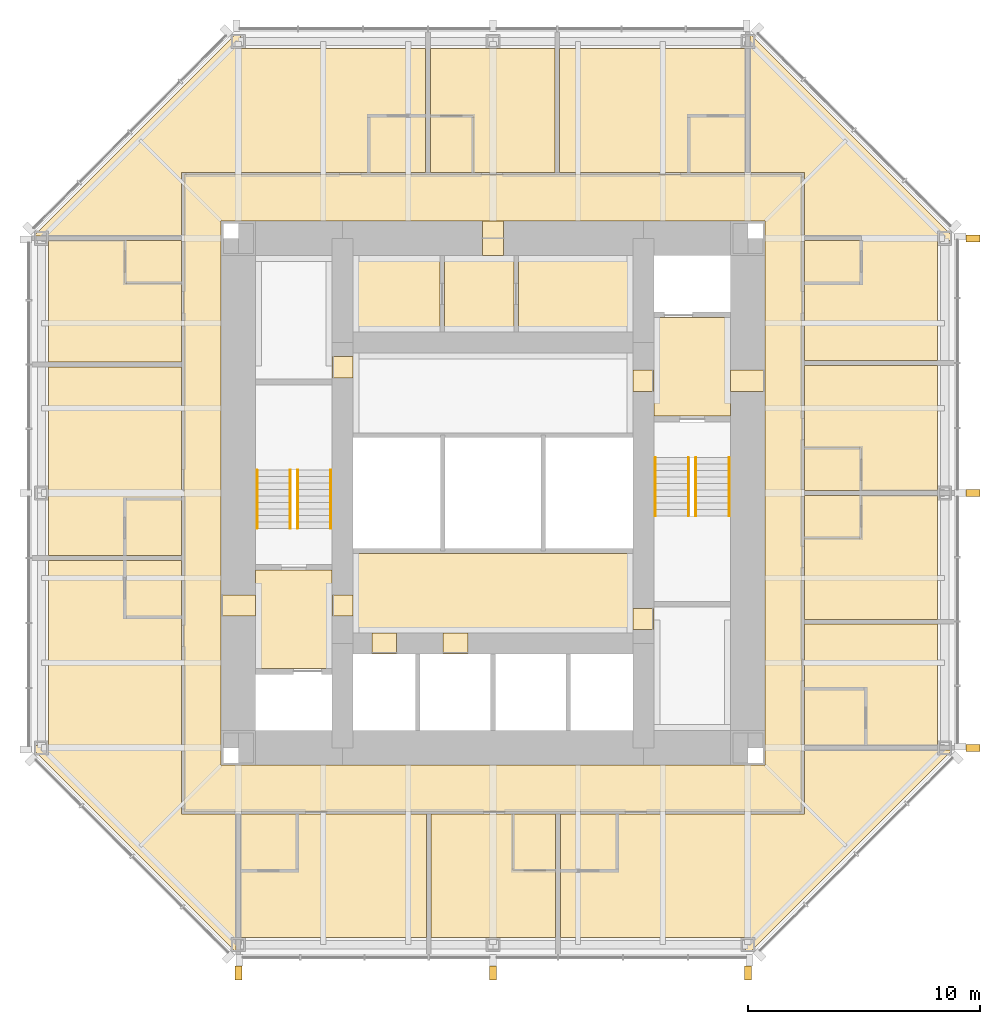
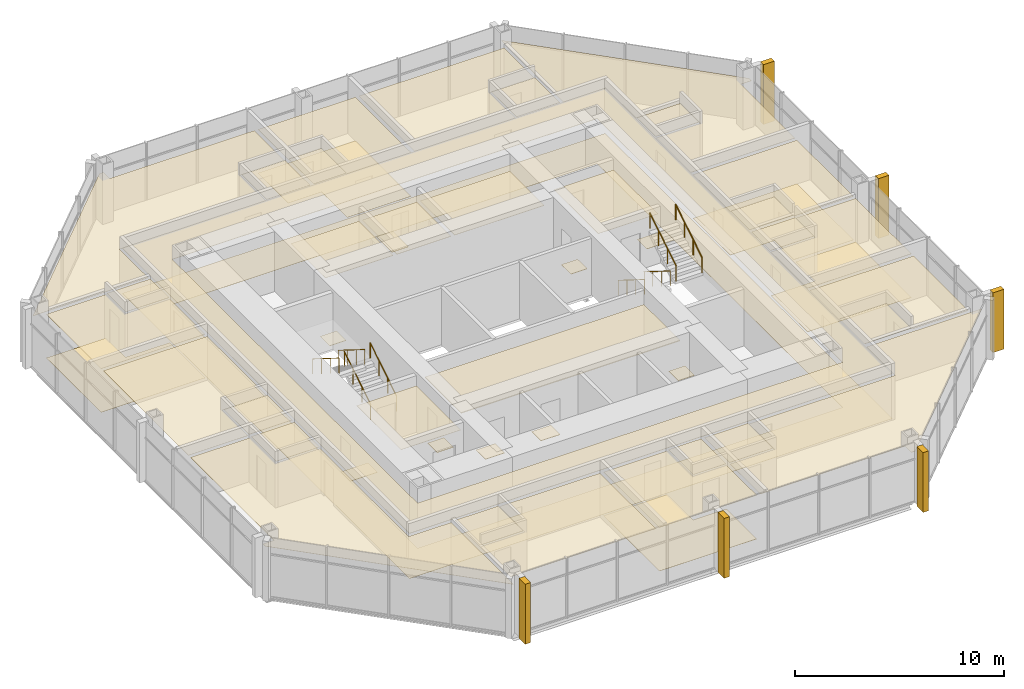
# One storey, part 11 of 11: 54 coverings, 8 railings.
"""IFC4 building model written with IfcOpenShell, lengths in metres."""

import ifcopenshell
import ifcopenshell.guid

model = None  # the IFC model being written
_history = None  # IfcOwnerHistory: only IFC2X3 demands one
_inside = {}  # id of a spatial element -> (the spatial element, [elements in it])
_under = {}  # id of a project, library or spatial element -> (it, [spatial elements below it])
_declared = {}  # id of a project -> (the project, [libraries it declares])
_typed = {}  # id of a type object -> (the type object, [elements of that type])
_made_of = {}  # id of a material, layer set ... -> (it, [elements and type objects made of it])


def new_model(schema):
    """Start an empty IFC model of exactly this schema.

    Asked for "IFC4X3", IfcOpenShell would pick the latest addendum, in which some entities
    have other attributes; the version numbers below select the first issue.
    IFC2X3 requires an IfcOwnerHistory on every rooted entity: one is made here for all.
    """
    global model, _history
    if schema == "IFC4X3":
        model = ifcopenshell.file(schema_version=(4, 3, 0, 0))
    else:
        model = ifcopenshell.file(schema=schema)
    _inside.clear()
    _under.clear()
    _declared.clear()
    _typed.clear()
    _made_of.clear()
    _history = None
    if model.schema == "IFC2X3":
        org = make("IfcOrganization", Name="unknown")
        user = make(
            "IfcPersonAndOrganization",
            ThePerson=make("IfcPerson", FamilyName="unknown"),
            TheOrganization=org,
        )
        app = make(
            "IfcApplication",
            ApplicationDeveloper=org,
            Version="unknown",
            ApplicationFullName="unknown",
            ApplicationIdentifier="unknown",
        )
        _history = make(
            "IfcOwnerHistory",
            OwningUser=user,
            OwningApplication=app,
            ChangeAction="ADDED",
            CreationDate=0,
        )
    return model


def make(cls, **values):
    """One entity of the class cls with the attributes given. An attribute that is None is left unset."""
    return model.create_entity(
        cls, **{name: value for name, value in values.items() if value is not None}
    )


def rooted(cls, **values):
    """An entity with a GlobalId (a new one), such as an element, a storey or a relation."""
    return make(cls, GlobalId=ifcopenshell.guid.new(), OwnerHistory=_history, **values)


def si_unit(unit_type, name, prefix=None):
    """IfcSIUnit, for example si_unit("LENGTHUNIT", "METRE", prefix="MILLI")."""
    return make("IfcSIUnit", UnitType=unit_type, Prefix=prefix, Name=name)


def assignment(units):
    """IfcUnitAssignment: the units of a project."""
    return None if units is None else make("IfcUnitAssignment", Units=units)


def point(xyz):
    """IfcCartesianPoint."""
    return None if xyz is None else make("IfcCartesianPoint", Coordinates=xyz)


def direction(xyz):
    """IfcDirection."""
    return None if xyz is None else make("IfcDirection", DirectionRatios=xyz)


def frame(location, z_axis=None, x_axis=None):
    """IfcAxis2Placement3D, a coordinate frame: its origin and axes. An axis left out is left unset."""
    return make(
        "IfcAxis2Placement3D",
        Location=point(location),
        Axis=direction(z_axis),
        RefDirection=direction(x_axis),
    )


def frame_2d(location, x_axis=None):
    """IfcAxis2Placement2D, a coordinate frame in the plane: its origin and x axis."""
    return make(
        "IfcAxis2Placement2D", Location=point(location), RefDirection=direction(x_axis)
    )


def origin():
    """The frame at (0, 0, 0) with its axes left unset."""
    return frame((0.0, 0.0, 0.0))


def origin_2d():
    """The frame at (0, 0) in the plane with its x axis left unset."""
    return frame_2d((0.0, 0.0))


def place(relative_to, where):
    """IfcLocalPlacement: puts the frame where relative to a parent placement (None: the world)."""
    return make(
        "IfcLocalPlacement", PlacementRelTo=relative_to, RelativePlacement=where
    )


def context(
    kind, dimensions, precision=None, world=None, true_north=None, identifier=None
):
    """IfcGeometricRepresentationContext, for example the 3D "Model" context."""
    return make(
        "IfcGeometricRepresentationContext",
        ContextIdentifier=identifier,
        ContextType=kind,
        CoordinateSpaceDimension=dimensions,
        Precision=precision,
        WorldCoordinateSystem=world,
        TrueNorth=true_north,
    )


def subcontext(parent, identifier, kind, view, scale=None):
    """IfcGeometricRepresentationSubContext, for example "Body" below "Model"."""
    return make(
        "IfcGeometricRepresentationSubContext",
        ContextIdentifier=identifier,
        ContextType=kind,
        ParentContext=parent,
        TargetScale=scale,
        TargetView=view,
    )


def project(units=None, contexts=None):
    """IfcProject with its units and contexts."""
    return rooted(
        "IfcProject",
        Name="project",
        RepresentationContexts=contexts,
        UnitsInContext=assignment(units),
    )


def spatial(cls, under=None, at=None, **own):
    """A site, building, storey or space (cls), placed at a placement, below another one or the project."""
    s = rooted(cls, ObjectPlacement=at, **own)
    if under is not None:
        _under.setdefault(under.id(), (under, []))[1].append(s)
    return s


def polyline(points):
    """IfcPolyline through the points."""
    return make("IfcPolyline", Points=[point(p) for p in points])


def profile(cls, at=None, kind="AREA", **sizes):
    """A parametric profile (cls). Its sizes go by their IFC names, for example OverallWidth=200.0."""
    return make(cls, ProfileType=kind, Position=at, **sizes)


def rectangle(**sizes):
    """IfcRectangleProfileDef."""
    return profile("IfcRectangleProfileDef", **sizes)


def circle(**sizes):
    """IfcCircleProfileDef."""
    return profile("IfcCircleProfileDef", **sizes)


def outline(outer, holes=None, kind="AREA"):
    """IfcArbitraryClosedProfileDef: a profile drawn as a closed curve; with holes, ...WithVoids."""
    if holes is None:
        return make("IfcArbitraryClosedProfileDef", ProfileType=kind, OuterCurve=outer)
    return make(
        "IfcArbitraryProfileDefWithVoids",
        ProfileType=kind,
        OuterCurve=outer,
        InnerCurves=holes,
    )


def extrude(swept, where, along, depth):
    """IfcExtrudedAreaSolid: the profile swept, set in the frame where, extruded along a direction by depth."""
    return make(
        "IfcExtrudedAreaSolid",
        SweptArea=swept,
        Position=where,
        ExtrudedDirection=direction(along),
        Depth=depth,
    )


def shape(context_of_items, identifier, shape_type, items):
    """IfcShapeRepresentation: the items that make up one representation, for example the "Body"."""
    return make(
        "IfcShapeRepresentation",
        ContextOfItems=context_of_items,
        RepresentationIdentifier=identifier,
        RepresentationType=shape_type,
        Items=items,
    )


def material(Name=None, Category=None):
    """IfcMaterial."""
    return make("IfcMaterial", Name=Name, Category=Category)


def layer(
    of_material, thickness, ventilated=None, Name=None, Category=None, Priority=None
):
    """IfcMaterialLayer: one layer of a wall or slab, of a material (None: an air gap)."""
    return make(
        "IfcMaterialLayer",
        Material=of_material,
        LayerThickness=thickness,
        IsVentilated=ventilated,
        Name=Name,
        Category=Category,
        Priority=Priority,
    )


def layer_set(layers, Name=None):
    """IfcMaterialLayerSet."""
    return make("IfcMaterialLayerSet", MaterialLayers=layers, LayerSetName=Name)


def made_of(thing, what):
    """Note that an element or type object is made of a material, layer set ...; save() writes the relation."""
    if what is not None:
        _made_of.setdefault(what.id(), (what, []))[1].append(thing)
    return thing


def type_object(cls, material=None, **own):
    """A type object (cls), such as IfcWallType, which elements share."""
    return made_of(rooted(cls, **own), material)


def element(
    cls,
    number,
    at=None,
    inside=None,
    cuts=None,
    type_object=None,
    material=None,
    context=None,
    identifier="Body",
    shape_type=None,
    held_by="IfcProductDefinitionShape",
    body=None,
    shapes=None,
    **own,
):
    """One element of the class cls, such as IfcWall. Its Tag is "e" and its number.

    at: its placement. inside: the storey or other place that contains it. cuts: it is an
    opening in that element (IfcRelVoidsElement). A single representation is given by context,
    identifier, shape_type and body (its items); several are given by shapes. held_by: the class
    of the entity that holds the representations. save() writes the other relations.
    """
    e = rooted(cls, Tag="e%d" % number, ObjectPlacement=at, **own)
    if body is not None:
        shapes = [shape(context, identifier, shape_type, body)]
    if shapes is not None:
        e.Representation = make(held_by, Representations=shapes)
    if inside is not None:
        _inside.setdefault(inside.id(), (inside, []))[1].append(e)
    if cuts is not None:
        rooted(
            "IfcRelVoidsElement", RelatingBuildingElement=cuts, RelatedOpeningElement=e
        )
    if type_object is not None:
        _typed.setdefault(type_object.id(), (type_object, []))[1].append(e)
    return made_of(e, material)


def aggregate(whole, parts):
    """IfcRelAggregates: a whole, such as a stair, and the parts it consists of."""
    return rooted("IfcRelAggregates", RelatingObject=whole, RelatedObjects=parts)


def save(model, path):
    """Write the relations noted so far, then the file.

    IfcRelAggregates (storeys below a building ...), IfcRelContainedInSpatialStructure (elements
    in a storey), IfcRelDefinesByType, IfcRelAssociatesMaterial and IfcRelDeclares: one each for
    every whole, place, type object, material and project.
    """
    for whole, parts in _under.values():
        aggregate(whole, parts)
    for where, things in _inside.values():
        rooted(
            "IfcRelContainedInSpatialStructure",
            RelatedElements=things,
            RelatingStructure=where,
        )
    for kind, things in _typed.values():
        rooted("IfcRelDefinesByType", RelatedObjects=things, RelatingType=kind)
    for what, things in _made_of.values():
        rooted("IfcRelAssociatesMaterial", RelatedObjects=things, RelatingMaterial=what)
    for by, libraries in _declared.values():
        rooted("IfcRelDeclares", RelatingContext=by, RelatedDefinitions=libraries)
    model.write(path)


model = new_model("IFC4")

# Units and contexts
model_context = context("Model", 3, precision=1e-05, world=origin(), true_north=direction((0.0, 1.0)))
body_context = subcontext(model_context, "Body", "Model", "MODEL_VIEW")
ifc_project = project(units=[si_unit("LENGTHUNIT", "METRE"), si_unit("AREAUNIT", "SQUARE_METRE"), si_unit("VOLUMEUNIT", "CUBIC_METRE"), si_unit("PLANEANGLEUNIT", "RADIAN"), si_unit("MASSUNIT", "GRAM", prefix="KILO")], contexts=[model_context])

# Site, building, storey
site_placement = place(None, origin())
site = spatial("IfcSite", under=ifc_project, at=site_placement, CompositionType="ELEMENT")
building_placement = place(site_placement, origin())
building = spatial("IfcBuilding", under=site, at=building_placement, Name="Trevanion Tower", CompositionType="ELEMENT")
storey_placement = place(building_placement, frame((0.0, 0.0, 215.199951171875)))
storey = spatial("IfcBuildingStorey", under=building, at=storey_placement, Name="L51", CompositionType="ELEMENT", Elevation=215.199951171875)

# Coverings
ifc_material_1 = material(Name="Fibrous plaster coffers on suspended steel grid", Category="steel")
ifc_layer_1 = layer(ifc_material_1, 0.050048828125)
ifc_layer_set_1 = layer_set([ifc_layer_1], Name="CL1 coffered fibrous plaster ceiling 50")
covering_type_1 = type_object("IfcCoveringType", Name="CL1 coffered fibrous plaster ceiling 50", PredefinedType="CEILING", material=ifc_layer_set_1)
covering_1_placement = place(storey_placement, frame((0.0, 0.0, 2.429931640625)))
element("IfcCovering", 1, at=covering_1_placement, inside=storey, type_object=covering_type_1, Name="CL1 L51-LBS", PredefinedType="CEILING", context=body_context, shape_type="SweptSolid", body=[
    extrude(outline(polyline([(6.050048828125, -6.050048828125), (6.050048828125, -2.60009765625), (-6.050048828125, -2.60009765625), (-6.050048828125, -6.050048828125), (6.050048828125, -6.050048828125)])), origin(), (0.0, 0.0, 1.0), 0.050048828125),
])
ifc_material_2 = material(Name="Mineral fibre acoustic tiles in exposed grid", Category="mineral fibre")
ifc_layer_2 = layer(ifc_material_2, 0.02001953125)
ifc_layer_set_2 = layer_set([ifc_layer_2], Name="CL2 acoustic tile ceiling 20")
covering_type_2 = type_object("IfcCoveringType", Name="CL2 acoustic tile ceiling 20", PredefinedType="CEILING", material=ifc_layer_set_2)
covering_2_placement = place(storey_placement, frame((0.0, 0.0, 2.4599609375)))
element("IfcCovering", 2, at=covering_2_placement, inside=storey, type_object=covering_type_2, Name="CL2 L51-HKC", PredefinedType="CEILING", context=body_context, shape_type="SweptSolid", body=[
    extrude(outline(polyline([(0.89990234375, 6.949951171875), (0.89990234375, 10.25), (-2.10009765625, 10.25), (-2.10009765625, 6.949951171875), (0.89990234375, 6.949951171875)])), origin(), (0.0, 0.0, 1.0), 0.02001953125),
])
covering_3_placement = place(storey_placement, frame((0.0, 0.0, 2.633056640625)))
element("IfcCovering", 3, at=covering_3_placement, inside=storey, type_object=covering_type_2, Name="CL2 L51-CO", PredefinedType="CEILING", context=body_context, shape_type="SweptSolid", body=[
    extrude(outline(polyline([(-13.35009765625, -13.75), (-13.35009765625, 13.75), (13.35009765625, 13.75), (13.35009765625, -13.75), (-13.35009765625, -13.75)]), holes=[polyline([(11.75, 11.75), (-11.75, 11.75), (-11.75, -11.75), (11.75, -11.75), (11.75, 11.75)])]), origin(), (0.0, 0.0, 1.0), 0.02001953125),
])
ifc_material_3 = material(Name="Gypsum plasterboard on suspended metal furring", Category="gypsum")
ifc_layer_3 = layer(ifc_material_3, 0.012939453125)
ifc_layer_set_3 = layer_set([ifc_layer_3], Name="CL3 plasterboard ceiling 13")
covering_type_3 = type_object("IfcCoveringType", Name="CL3 plasterboard ceiling 13", PredefinedType="CEILING", material=ifc_layer_set_3)
covering_4_placement = place(storey_placement, frame((0.0, 0.0, 2.699951171875)))
element("IfcCovering", 4, at=covering_4_placement, inside=storey, type_object=covering_type_3, Name="CL3 L51-FV1", PredefinedType="CEILING", context=body_context, shape_type="SweptSolid", body=[
    extrude(outline(polyline([(10.25, 3.324951171875), (10.25, 7.574951171875), (6.949951171875, 7.574951171875), (6.949951171875, 3.324951171875), (10.25, 3.324951171875)])), origin(), (0.0, 0.0, 1.0), 0.01318359375),
])
covering_5_placement = place(storey_placement, frame((0.0, 0.0, 2.699951171875)))
element("IfcCovering", 5, at=covering_5_placement, inside=storey, type_object=covering_type_3, Name="CL3 L51-FV2", PredefinedType="CEILING", context=body_context, shape_type="SweptSolid", body=[
    extrude(outline(polyline([(-10.25, -3.324951171875), (-10.25, -7.574951171875), (-6.949951171875, -7.574951171875), (-6.949951171875, -3.324951171875), (-10.25, -3.324951171875)])), origin(), (0.0, 0.0, 1.0), 0.01318359375),
])
covering_6_placement = place(storey_placement, frame((0.0, 0.0, 2.551025390625)))
element("IfcCovering", 6, at=covering_6_placement, inside=storey, type_object=covering_type_3, Name="CL3 L51-GA", PredefinedType="CEILING", context=body_context, shape_type="SweptSolid", body=[
    extrude(outline(polyline([(13.449951171875, -5.64892578125), (19.199951171875, -5.64892578125), (19.199951171875, -10.89990234375), (16.10009765625, -10.89990234375), (16.10009765625, -8.449951171875), (13.449951171875, -8.449951171875), (13.449951171875, -5.64892578125)])), origin(), (0.0, 0.0, 1.0), 0.012939453125),
])
covering_7_placement = place(storey_placement, frame((0.0, 0.0, 2.551025390625)))
element("IfcCovering", 7, at=covering_7_placement, inside=storey, type_object=covering_type_3, Name="CL3 L51-GR", PredefinedType="CEILING", context=body_context, shape_type="SweptSolid", body=[
    extrude(outline(polyline([(13.449951171875, -1.949951171875), (15.89990234375, -1.949951171875), (15.89990234375, -0.10009765625), (19.199951171875, -0.10009765625), (19.199951171875, -5.448974609375), (13.449951171875, -5.448974609375), (13.449951171875, -1.949951171875)])), origin(), (0.0, 0.0, 1.0), 0.012939453125),
])
covering_8_placement = place(storey_placement, frame((0.0, 0.0, 2.551025390625)))
element("IfcCovering", 8, at=covering_8_placement, inside=storey, type_object=covering_type_3, Name="CL3 L51-GR2", PredefinedType="CEILING", context=body_context, shape_type="SweptSolid", body=[
    extrude(outline(polyline([(13.449951171875, 5.513916015625), (19.199951171875, 5.513916015625), (19.199951171875, 0.10009765625), (15.89990234375, 0.10009765625), (15.89990234375, 1.949951171875), (13.449951171875, 1.949951171875), (13.449951171875, 5.513916015625)])), origin(), (0.0, 0.0, 1.0), 0.012939453125),
])
covering_9_placement = place(storey_placement, frame((0.0, 0.0, 2.551025390625)))
element("IfcCovering", 9, at=covering_9_placement, inside=storey, type_object=covering_type_3, Name="CL3 L51-GR3", PredefinedType="CEILING", context=body_context, shape_type="SweptSolid", body=[
    extrude(outline(polyline([(11.10009765625, 13.85009765625), (11.10009765625, 19.800048828125), (11.124267578125, 19.800048828125), (19.800048828125, 11.124267578125), (19.800048828125, 10.89990234375), (19.199951171875, 10.89990234375), (19.199951171875, 5.714111328125), (13.449951171875, 5.714111328125), (13.449951171875, 9.050048828125), (15.89990234375, 9.050048828125), (15.89990234375, 10.949951171875), (13.449951171875, 10.949951171875), (13.449951171875, 13.85009765625), (11.10009765625, 13.85009765625)])), origin(), (0.0, 0.0, 1.0), 0.012939453125),
])
covering_10_placement = place(storey_placement, frame((0.0, 0.0, 2.551025390625)))
element("IfcCovering", 10, at=covering_10_placement, inside=storey, type_object=covering_type_3, Name="CL3 L51-GJ", PredefinedType="CEILING", context=body_context, shape_type="SweptSolid", body=[
    extrude(outline(polyline([(2.875, 13.85009765625), (2.875, 19.199951171875), (10.89990234375, 19.199951171875), (10.89990234375, 16.300048828125), (8.449951171875, 16.300048828125), (8.449951171875, 13.85009765625), (2.875, 13.85009765625)])), origin(), (0.0, 0.0, 1.0), 0.012939453125),
])
covering_11_placement = place(storey_placement, frame((0.0, 0.0, 2.551025390625)))
element("IfcCovering", 11, at=covering_11_placement, inside=storey, type_object=covering_type_3, Name="CL3 L51-GR4", PredefinedType="CEILING", context=body_context, shape_type="SweptSolid", body=[
    extrude(outline(polyline([(-0.85693359375, 13.85009765625), (-0.85693359375, 16.300048828125), (-2.70703125, 16.300048828125), (-2.70703125, 19.199951171875), (2.675048828125, 19.199951171875), (2.675048828125, 13.85009765625), (-0.85693359375, 13.85009765625)])), origin(), (0.0, 0.0, 1.0), 0.012939453125),
])
covering_12_placement = place(storey_placement, frame((0.0, 0.0, 2.551025390625)))
element("IfcCovering", 12, at=covering_12_placement, inside=storey, type_object=covering_type_3, Name="CL3 L51-GJ2", PredefinedType="CEILING", context=body_context, shape_type="SweptSolid", body=[
    extrude(outline(polyline([(-13.449951171875, 11.10009765625), (-19.800048828125, 11.10009765625), (-19.800048828125, 11.124267578125), (-11.124267578125, 19.800048828125), (-10.89990234375, 19.800048828125), (-10.89990234375, 19.199951171875), (-2.906982421875, 19.199951171875), (-2.906982421875, 16.300048828125), (-5.35693359375, 16.300048828125), (-5.35693359375, 13.85009765625), (-13.449951171875, 13.85009765625), (-13.449951171875, 11.10009765625)])), origin(), (0.0, 0.0, 1.0), 0.012939453125),
])
covering_13_placement = place(storey_placement, frame((0.0, 0.0, 2.551025390625)))
element("IfcCovering", 13, at=covering_13_placement, inside=storey, type_object=covering_type_3, Name="CL3 L51-GR5", PredefinedType="CEILING", context=body_context, shape_type="SweptSolid", body=[
    extrude(outline(polyline([(-13.449951171875, 5.64892578125), (-19.199951171875, 5.64892578125), (-19.199951171875, 10.89990234375), (-15.89990234375, 10.89990234375), (-15.89990234375, 9.050048828125), (-13.449951171875, 9.050048828125), (-13.449951171875, 5.64892578125)])), origin(), (0.0, 0.0, 1.0), 0.012939453125),
])
covering_14_placement = place(storey_placement, frame((0.0, 0.0, 2.551025390625)))
element("IfcCovering", 14, at=covering_14_placement, inside=storey, type_object=covering_type_3, Name="CL3 L51-GJ3", PredefinedType="CEILING", context=body_context, shape_type="SweptSolid", body=[
    extrude(outline(polyline([(-13.449951171875, -0.257080078125), (-15.89990234375, -0.257080078125), (-15.89990234375, -2.70703125), (-19.199951171875, -2.70703125), (-19.199951171875, 5.448974609375), (-13.449951171875, 5.448974609375), (-13.449951171875, -0.257080078125)])), origin(), (0.0, 0.0, 1.0), 0.012939453125),
])
covering_15_placement = place(storey_placement, frame((0.0, 0.0, 2.551025390625)))
element("IfcCovering", 15, at=covering_15_placement, inside=storey, type_object=covering_type_3, Name="CL3 L51-GJ4", PredefinedType="CEILING", context=body_context, shape_type="SweptSolid", body=[
    extrude(outline(polyline([(-11.10009765625, -13.85009765625), (-11.10009765625, -19.800048828125), (-11.124267578125, -19.800048828125), (-19.800048828125, -11.124267578125), (-19.800048828125, -10.89990234375), (-19.199951171875, -10.89990234375), (-19.199951171875, -2.906982421875), (-15.89990234375, -2.906982421875), (-15.89990234375, -5.35693359375), (-13.449951171875, -5.35693359375), (-13.449951171875, -13.85009765625), (-11.10009765625, -13.85009765625)])), origin(), (0.0, 0.0, 1.0), 0.012939453125),
])
covering_16_placement = place(storey_placement, frame((0.0, 0.0, 2.551025390625)))
element("IfcCovering", 16, at=covering_16_placement, inside=storey, type_object=covering_type_3, Name="CL3 L51-GJ5", PredefinedType="CEILING", context=body_context, shape_type="SweptSolid", body=[
    extrude(outline(polyline([(-2.875, -13.85009765625), (-2.875, -19.199951171875), (-10.89990234375, -19.199951171875), (-10.89990234375, -16.300048828125), (-8.449951171875, -16.300048828125), (-8.449951171875, -13.85009765625), (-2.875, -13.85009765625)])), origin(), (0.0, 0.0, 1.0), 0.012939453125),
])
covering_17_placement = place(storey_placement, frame((0.0, 0.0, 2.551025390625)))
element("IfcCovering", 17, at=covering_17_placement, inside=storey, type_object=covering_type_3, Name="CL3 L51-GR6", PredefinedType="CEILING", context=body_context, shape_type="SweptSolid", body=[
    extrude(outline(polyline([(0.85693359375, -13.85009765625), (0.85693359375, -16.300048828125), (2.70703125, -16.300048828125), (2.70703125, -19.199951171875), (-2.675048828125, -19.199951171875), (-2.675048828125, -13.85009765625), (0.85693359375, -13.85009765625)])), origin(), (0.0, 0.0, 1.0), 0.012939453125),
])
covering_18_placement = place(storey_placement, frame((0.0, 0.0, 2.551025390625)))
element("IfcCovering", 18, at=covering_18_placement, inside=storey, type_object=covering_type_3, Name="CL3 L51-GJ6", PredefinedType="CEILING", context=body_context, shape_type="SweptSolid", body=[
    extrude(outline(polyline([(13.449951171875, -11.10009765625), (19.800048828125, -11.10009765625), (19.800048828125, -11.124267578125), (11.124267578125, -19.800048828125), (10.89990234375, -19.800048828125), (10.89990234375, -19.199951171875), (2.906982421875, -19.199951171875), (2.906982421875, -16.300048828125), (5.35693359375, -16.300048828125), (5.35693359375, -13.85009765625), (13.449951171875, -13.85009765625), (13.449951171875, -11.10009765625)])), origin(), (0.0, 0.0, 1.0), 0.012939453125),
])
ifc_material_4 = material(Name="Moisture-resistant gypsum board on suspended metal furring", Category="gypsum")
ifc_layer_4 = layer(ifc_material_4, 0.01611328125)
ifc_layer_set_4 = layer_set([ifc_layer_4], Name="CL4 moisture-resistant board ceiling 16")
covering_type_4 = type_object("IfcCoveringType", Name="CL4 moisture-resistant board ceiling 16", PredefinedType="CEILING", material=ifc_layer_set_4)
covering_19_placement = place(storey_placement, frame((0.0, 0.0, 2.464111328125)))
element("IfcCovering", 19, at=covering_19_placement, inside=storey, type_object=covering_type_4, Name="CL4 L51-HK", PredefinedType="CEILING", context=body_context, shape_type="SweptSolid", body=[
    extrude(outline(polyline([(-2.300048828125, 6.949951171875), (-2.300048828125, 10.25), (-6.050048828125, 10.25), (-6.050048828125, 6.949951171875), (-2.300048828125, 6.949951171875)])), origin(), (0.0, 0.0, 1.0), 0.015869140625),
])
covering_20_placement = place(storey_placement, frame((0.0, 0.0, 2.464111328125)))
element("IfcCovering", 20, at=covering_20_placement, inside=storey, type_object=covering_type_4, Name="CL4 L51-HKL", PredefinedType="CEILING", context=body_context, shape_type="SweptSolid", body=[
    extrude(outline(polyline([(6.050048828125, 6.949951171875), (6.050048828125, 10.25), (1.10009765625, 10.25), (1.10009765625, 6.949951171875), (6.050048828125, 6.949951171875)])), origin(), (0.0, 0.0, 1.0), 0.015869140625),
])
covering_21_placement = place(storey_placement, frame((0.0, 0.0, 2.60009765625)))
element("IfcCovering", 21, at=covering_21_placement, inside=storey, type_object=covering_type_4, Name="CL4 L51-EN", PredefinedType="CEILING", context=body_context, shape_type="SweptSolid", body=[
    extrude(outline(polyline([(16.050048828125, -10.89990234375), (16.050048828125, -8.5), (13.449951171875, -8.5), (13.449951171875, -10.89990234375), (16.050048828125, -10.89990234375)])), origin(), (0.0, 0.0, 1.0), 0.015869140625),
])
covering_22_placement = place(storey_placement, frame((0.0, 0.0, 2.60009765625)))
element("IfcCovering", 22, at=covering_22_placement, inside=storey, type_object=covering_type_4, Name="CL4 L51-EN2", PredefinedType="CEILING", context=body_context, shape_type="SweptSolid", body=[
    extrude(outline(polyline([(15.85009765625, -1.89990234375), (15.85009765625, -0.10009765625), (13.449951171875, -0.10009765625), (13.449951171875, -1.89990234375), (15.85009765625, -1.89990234375)])), origin(), (0.0, 0.0, 1.0), 0.015869140625),
])
covering_23_placement = place(storey_placement, frame((0.0, 0.0, 2.60009765625)))
element("IfcCovering", 23, at=covering_23_placement, inside=storey, type_object=covering_type_4, Name="CL4 L51-EN3", PredefinedType="CEILING", context=body_context, shape_type="SweptSolid", body=[
    extrude(outline(polyline([(15.85009765625, 0.10009765625), (15.85009765625, 1.89990234375), (13.449951171875, 1.89990234375), (13.449951171875, 0.10009765625), (15.85009765625, 0.10009765625)])), origin(), (0.0, 0.0, 1.0), 0.015869140625),
])
covering_24_placement = place(storey_placement, frame((0.0, 0.0, 2.60009765625)))
element("IfcCovering", 24, at=covering_24_placement, inside=storey, type_object=covering_type_4, Name="CL4 L51-EN4", PredefinedType="CEILING", context=body_context, shape_type="SweptSolid", body=[
    extrude(outline(polyline([(15.85009765625, 9.10009765625), (15.85009765625, 10.89990234375), (13.449951171875, 10.89990234375), (13.449951171875, 9.10009765625), (15.85009765625, 9.10009765625)])), origin(), (0.0, 0.0, 1.0), 0.015869140625),
])
covering_25_placement = place(storey_placement, frame((0.0, 0.0, 2.60009765625)))
element("IfcCovering", 25, at=covering_25_placement, inside=storey, type_object=covering_type_4, Name="CL4 L51-EN5", PredefinedType="CEILING", context=body_context, shape_type="SweptSolid", body=[
    extrude(outline(polyline([(10.89990234375, 16.25), (8.5, 16.25), (8.5, 13.85009765625), (10.89990234375, 13.85009765625), (10.89990234375, 16.25)])), origin(), (0.0, 0.0, 1.0), 0.015869140625),
])
covering_26_placement = place(storey_placement, frame((0.0, 0.0, 2.60009765625)))
element("IfcCovering", 26, at=covering_26_placement, inside=storey, type_object=covering_type_4, Name="CL4 L51-EN6", PredefinedType="CEILING", context=body_context, shape_type="SweptSolid", body=[
    extrude(outline(polyline([(-0.906982421875, 16.25), (-2.70703125, 16.25), (-2.70703125, 13.85009765625), (-0.906982421875, 13.85009765625), (-0.906982421875, 16.25)])), origin(), (0.0, 0.0, 1.0), 0.015869140625),
])
covering_27_placement = place(storey_placement, frame((0.0, 0.0, 2.60009765625)))
element("IfcCovering", 27, at=covering_27_placement, inside=storey, type_object=covering_type_4, Name="CL4 L51-EN7", PredefinedType="CEILING", context=body_context, shape_type="SweptSolid", body=[
    extrude(outline(polyline([(-2.906982421875, 16.25), (-5.306884765625, 16.25), (-5.306884765625, 13.85009765625), (-2.906982421875, 13.85009765625), (-2.906982421875, 16.25)])), origin(), (0.0, 0.0, 1.0), 0.015869140625),
])
covering_28_placement = place(storey_placement, frame((0.0, 0.0, 2.60009765625)))
element("IfcCovering", 28, at=covering_28_placement, inside=storey, type_object=covering_type_4, Name="CL4 L51-EN8", PredefinedType="CEILING", context=body_context, shape_type="SweptSolid", body=[
    extrude(outline(polyline([(-15.85009765625, 10.89990234375), (-15.85009765625, 9.10009765625), (-13.449951171875, 9.10009765625), (-13.449951171875, 10.89990234375), (-15.85009765625, 10.89990234375)])), origin(), (0.0, 0.0, 1.0), 0.015869140625),
])
covering_29_placement = place(storey_placement, frame((0.0, 0.0, 2.60009765625)))
element("IfcCovering", 29, at=covering_29_placement, inside=storey, type_object=covering_type_4, Name="CL4 L51-EN9", PredefinedType="CEILING", context=body_context, shape_type="SweptSolid", body=[
    extrude(outline(polyline([(-15.85009765625, -0.306884765625), (-15.85009765625, -2.70703125), (-13.449951171875, -2.70703125), (-13.449951171875, -0.306884765625), (-15.85009765625, -0.306884765625)])), origin(), (0.0, 0.0, 1.0), 0.015869140625),
])
covering_30_placement = place(storey_placement, frame((0.0, 0.0, 2.60009765625)))
element("IfcCovering", 30, at=covering_30_placement, inside=storey, type_object=covering_type_4, Name="CL4 L51-EN10", PredefinedType="CEILING", context=body_context, shape_type="SweptSolid", body=[
    extrude(outline(polyline([(-15.85009765625, -2.906982421875), (-15.85009765625, -5.306884765625), (-13.449951171875, -5.306884765625), (-13.449951171875, -2.906982421875), (-15.85009765625, -2.906982421875)])), origin(), (0.0, 0.0, 1.0), 0.015869140625),
])
covering_31_placement = place(storey_placement, frame((0.0, 0.0, 2.60009765625)))
element("IfcCovering", 31, at=covering_31_placement, inside=storey, type_object=covering_type_4, Name="CL4 L51-EN11", PredefinedType="CEILING", context=body_context, shape_type="SweptSolid", body=[
    extrude(outline(polyline([(-10.89990234375, -16.25), (-8.5, -16.25), (-8.5, -13.85009765625), (-10.89990234375, -13.85009765625), (-10.89990234375, -16.25)])), origin(), (0.0, 0.0, 1.0), 0.015869140625),
])
covering_32_placement = place(storey_placement, frame((0.0, 0.0, 2.60009765625)))
element("IfcCovering", 32, at=covering_32_placement, inside=storey, type_object=covering_type_4, Name="CL4 L51-EN12", PredefinedType="CEILING", context=body_context, shape_type="SweptSolid", body=[
    extrude(outline(polyline([(0.906982421875, -16.25), (2.70703125, -16.25), (2.70703125, -13.85009765625), (0.906982421875, -13.85009765625), (0.906982421875, -16.25)])), origin(), (0.0, 0.0, 1.0), 0.015869140625),
])
covering_33_placement = place(storey_placement, frame((0.0, 0.0, 2.60009765625)))
element("IfcCovering", 33, at=covering_33_placement, inside=storey, type_object=covering_type_4, Name="CL4 L51-EN13", PredefinedType="CEILING", context=body_context, shape_type="SweptSolid", body=[
    extrude(outline(polyline([(2.906982421875, -16.25), (5.306884765625, -16.25), (5.306884765625, -13.85009765625), (2.906982421875, -13.85009765625), (2.906982421875, -16.25)])), origin(), (0.0, 0.0, 1.0), 0.015869140625),
])
ifc_material_5 = material(Name="Cast bronze fin on aluminium carrier", Category="aluminium")
covering_type_5 = type_object("IfcCoveringType", Name="F1 bronze fin", PredefinedType="CLADDING", material=ifc_material_5)
for number, where, z_axis, x_axis, name in (
    (34, (20.72509765625, -11.0, -0.18994140625), (0.0, 0.0, 1.0), (0.0, 1.0, 0.0), "F1 L51 east -11.0"),
    (35, (20.72509765625, 0.0, -0.18994140625), (0.0, 0.0, 1.0), (0.0, 1.0, 0.0), "F1 L51 east +0.0"),
    (36, (20.72509765625, 11.0, -0.18994140625), (0.0, 0.0, 1.0), (0.0, 1.0, 0.0), "F1 L51 east +11.0"),
    (37, (-11.0, -20.72509765625, -0.18994140625), (0.0, 0.0, 1.0), (1.0, 0.0, 0.0), "F1 L51 south -11.0"),
    (38, (0.0, -20.72509765625, -0.18994140625), (0.0, 0.0, 1.0), (1.0, 0.0, 0.0), "F1 L51 south +0.0"),
    (39, (11.0, -20.72509765625, -0.18994140625), (0.0, 0.0, 1.0), (1.0, 0.0, 0.0), "F1 L51 south +11.0"),
):
    element("IfcCovering", number, at=place(storey_placement, frame(where, z_axis=z_axis, x_axis=x_axis)), inside=storey, type_object=covering_type_5, Name=name, PredefinedType="CLADDING", context=body_context, shape_type="SweptSolid", body=[
        extrude(rectangle(XDim=0.300048828125, YDim=0.60009765625, at=origin_2d()), origin(), (0.0, 0.0, 1.0), 3.5),
    ])
ifc_material_6 = material(Name="Terrazzo, brass divider strips", Category="stone")
ifc_layer_5 = layer(ifc_material_6, 0.02001953125)
ifc_layer_set_5 = layer_set([ifc_layer_5], Name="FF1 terrazzo flooring")
covering_type_6 = type_object("IfcCoveringType", Name="FF1 terrazzo flooring", PredefinedType="FLOORING", material=ifc_layer_set_5)
covering_34_placement = place(storey_placement, origin())
element("IfcCovering", 40, at=covering_34_placement, inside=storey, type_object=covering_type_6, Name="FF1 threshold 51-001", PredefinedType="FLOORING", context=body_context, shape_type="SweptSolid", body=[
    extrude(outline(polyline([(11.75, 4.392578125), (11.75, 5.3076171875), (10.25, 5.3076171875), (10.25, 4.392578125), (11.75, 4.392578125)])), origin(), (0.0, 0.0, 1.0), 0.02001953125),
])
covering_35_placement = place(storey_placement, origin())
element("IfcCovering", 41, at=covering_35_placement, inside=storey, type_object=covering_type_6, Name="FF1 threshold 51-002", PredefinedType="FLOORING", context=body_context, shape_type="SweptSolid", body=[
    extrude(outline(polyline([(-11.75, -4.392578125), (-11.75, -5.3076171875), (-10.25, -5.3076171875), (-10.25, -4.392578125), (-11.75, -4.392578125)])), origin(), (0.0, 0.0, 1.0), 0.02001953125),
])
covering_36_placement = place(storey_placement, origin())
element("IfcCovering", 42, at=covering_36_placement, inside=storey, type_object=covering_type_6, Name="FF1 threshold 51-003", PredefinedType="FLOORING", context=body_context, shape_type="SweptSolid", body=[
    extrude(outline(polyline([(6.949951171875, 4.392578125), (6.949951171875, 5.3076171875), (6.050048828125, 5.3076171875), (6.050048828125, 4.392578125), (6.949951171875, 4.392578125)])), origin(), (0.0, 0.0, 1.0), 0.02001953125),
])
covering_37_placement = place(storey_placement, origin())
element("IfcCovering", 43, at=covering_37_placement, inside=storey, type_object=covering_type_6, Name="FF1 threshold 51-004", PredefinedType="FLOORING", context=body_context, shape_type="SweptSolid", body=[
    extrude(outline(polyline([(-6.949951171875, -4.392578125), (-6.949951171875, -5.3076171875), (-6.050048828125, -5.3076171875), (-6.050048828125, -4.392578125), (-6.949951171875, -4.392578125)])), origin(), (0.0, 0.0, 1.0), 0.02001953125),
])
covering_38_placement = place(storey_placement, origin())
element("IfcCovering", 44, at=covering_38_placement, inside=storey, type_object=covering_type_6, Name="FF1 threshold 51-009", PredefinedType="FLOORING", context=body_context, shape_type="SweptSolid", body=[
    extrude(outline(polyline([(6.949951171875, -5.889892578125), (6.949951171875, -4.97509765625), (6.050048828125, -4.97509765625), (6.050048828125, -5.889892578125), (6.949951171875, -5.889892578125)])), origin(), (0.0, 0.0, 1.0), 0.02001953125),
])
covering_39_placement = place(storey_placement, origin())
element("IfcCovering", 45, at=covering_39_placement, inside=storey, type_object=covering_type_6, Name="FF1 threshold 51-010", PredefinedType="FLOORING", context=body_context, shape_type="SweptSolid", body=[
    extrude(outline(polyline([(-6.949951171875, 5.889892578125), (-6.949951171875, 4.97509765625), (-6.050048828125, 4.97509765625), (-6.050048828125, 5.889892578125), (-6.949951171875, 5.889892578125)])), origin(), (0.0, 0.0, 1.0), 0.02001953125),
])
covering_40_placement = place(storey_placement, origin())
element("IfcCovering", 46, at=covering_40_placement, inside=storey, type_object=covering_type_6, Name="FF1 threshold 51-011", PredefinedType="FLOORING", context=body_context, shape_type="SweptSolid", body=[
    extrude(outline(polyline([(-5.2333984375, -6.949951171875), (-4.16650390625, -6.949951171875), (-4.16650390625, -6.050048828125), (-5.2333984375, -6.050048828125), (-5.2333984375, -6.949951171875)])), origin(), (0.0, 0.0, 1.0), 0.02001953125),
])
covering_41_placement = place(storey_placement, origin())
element("IfcCovering", 47, at=covering_41_placement, inside=storey, type_object=covering_type_6, Name="FF1 threshold 51-012", PredefinedType="FLOORING", context=body_context, shape_type="SweptSolid", body=[
    extrude(outline(polyline([(-2.158447265625, -6.949951171875), (-1.091552734375, -6.949951171875), (-1.091552734375, -6.050048828125), (-2.158447265625, -6.050048828125), (-2.158447265625, -6.949951171875)])), origin(), (0.0, 0.0, 1.0), 0.02001953125),
])
covering_42_placement = place(storey_placement, origin())
element("IfcCovering", 48, at=covering_42_placement, inside=storey, type_object=covering_type_6, Name="FF1 threshold 51-013", PredefinedType="FLOORING", context=body_context, shape_type="SweptSolid", body=[
    extrude(outline(polyline([(0.45751953125, 11.75), (-0.45751953125, 11.75), (-0.45751953125, 10.25), (0.45751953125, 10.25), (0.45751953125, 11.75)])), origin(), (0.0, 0.0, 1.0), 0.02001953125),
])
ifc_material_7 = material(Name="Wool carpet on underlay", Category="textile")
ifc_layer_6 = layer(ifc_material_7, 0.011962890625)
ifc_layer_set_6 = layer_set([ifc_layer_6], Name="FF2 carpet flooring")
covering_type_7 = type_object("IfcCoveringType", Name="FF2 carpet flooring", PredefinedType="FLOORING", material=ifc_layer_set_6)
covering_43_placement = place(storey_placement, origin())
element("IfcCovering", 49, at=covering_43_placement, inside=storey, type_object=covering_type_7, Name="FF2 L51-CO", PredefinedType="FLOORING", context=body_context, shape_type="SweptSolid", body=[
    extrude(outline(polyline([(-13.35009765625, -13.75), (-13.35009765625, 13.75), (13.35009765625, 13.75), (13.35009765625, -13.75), (-13.35009765625, -13.75)]), holes=[polyline([(11.75, 11.75), (-11.75, 11.75), (-11.75, -11.75), (11.75, -11.75), (11.75, 11.75)])]), origin(), (0.0, 0.0, 1.0), 0.011962890625),
])
covering_44_placement = place(storey_placement, origin())
element("IfcCovering", 50, at=covering_44_placement, inside=storey, type_object=covering_type_7, Name="FF2 L51-GR", PredefinedType="FLOORING", context=body_context, shape_type="SweptSolid", body=[
    extrude(outline(polyline([(13.449951171875, -1.949951171875), (15.89990234375, -1.949951171875), (15.89990234375, -0.10009765625), (19.199951171875, -0.10009765625), (19.199951171875, -5.448974609375), (13.449951171875, -5.448974609375), (13.449951171875, -1.949951171875)])), origin(), (0.0, 0.0, 1.0), 0.011962890625),
])
covering_45_placement = place(storey_placement, origin())
element("IfcCovering", 51, at=covering_45_placement, inside=storey, type_object=covering_type_7, Name="FF2 L51-GR2", PredefinedType="FLOORING", context=body_context, shape_type="SweptSolid", body=[
    extrude(outline(polyline([(13.449951171875, 5.513916015625), (19.199951171875, 5.513916015625), (19.199951171875, 0.10009765625), (15.89990234375, 0.10009765625), (15.89990234375, 1.949951171875), (13.449951171875, 1.949951171875), (13.449951171875, 5.513916015625)])), origin(), (0.0, 0.0, 1.0), 0.011962890625),
])
covering_46_placement = place(storey_placement, origin())
element("IfcCovering", 52, at=covering_46_placement, inside=storey, type_object=covering_type_7, Name="FF2 L51-GR4", PredefinedType="FLOORING", context=body_context, shape_type="SweptSolid", body=[
    extrude(outline(polyline([(-0.85693359375, 13.85009765625), (-0.85693359375, 16.300048828125), (-2.70703125, 16.300048828125), (-2.70703125, 19.199951171875), (2.675048828125, 19.199951171875), (2.675048828125, 13.85009765625), (-0.85693359375, 13.85009765625)])), origin(), (0.0, 0.0, 1.0), 0.011962890625),
])
covering_47_placement = place(storey_placement, origin())
element("IfcCovering", 53, at=covering_47_placement, inside=storey, type_object=covering_type_7, Name="FF2 L51-GR5", PredefinedType="FLOORING", context=body_context, shape_type="SweptSolid", body=[
    extrude(outline(polyline([(-13.449951171875, 5.64892578125), (-19.199951171875, 5.64892578125), (-19.199951171875, 10.89990234375), (-15.89990234375, 10.89990234375), (-15.89990234375, 9.050048828125), (-13.449951171875, 9.050048828125), (-13.449951171875, 5.64892578125)])), origin(), (0.0, 0.0, 1.0), 0.011962890625),
])
covering_48_placement = place(storey_placement, origin())
element("IfcCovering", 54, at=covering_48_placement, inside=storey, type_object=covering_type_7, Name="FF2 L51-GR6", PredefinedType="FLOORING", context=body_context, shape_type="SweptSolid", body=[
    extrude(outline(polyline([(0.85693359375, -13.85009765625), (0.85693359375, -16.300048828125), (2.70703125, -16.300048828125), (2.70703125, -19.199951171875), (-2.675048828125, -19.199951171875), (-2.675048828125, -13.85009765625), (0.85693359375, -13.85009765625)])), origin(), (0.0, 0.0, 1.0), 0.011962890625),
])

# Railings
ifc_material_8 = material(Name="Stainless steel tube 40 mm", Category="steel")
railing_type = type_object("IfcRailingType", Name="HR1 handrail", PredefinedType="HANDRAIL", material=ifc_material_8)
for number, where, name in (
    (55, (7.010009765625, 1.52490234375, 0.175048828125), "HR1 ST1 L51 flight 1"),
    (56, (8.43994140625, 1.52490234375, 0.175048828125), "HR1 ST1 L51 flight 1"),
):
    element("IfcRailing", number, at=place(storey_placement, frame(where)), inside=storey, type_object=railing_type, Name=name, PredefinedType="HANDRAIL", context=body_context, shape_type="SweptSolid", body=[
        extrude(circle(Radius=0.02001953125, at=origin_2d()), frame((0.0, 0.0, 0.8798828125), z_axis=(0.0, -0.848007534815, 0.529984170421), x_axis=(1.0, 0.0, 0.0)), (0.0, 0.0, 1.0), 2.9716796875),
        extrude(circle(Radius=0.01513671875, at=origin_2d()), origin(), (0.0, 0.0, 1.0), 0.85986328125),
        extrude(circle(Radius=0.01513671875, at=origin_2d()), frame((0.0, -0.840087890625, 0.52490234375)), (0.0, 0.0, 1.0), 0.85986328125),
        extrude(circle(Radius=0.01513671875, at=origin_2d()), frame((0.0, -1.679931640625, 1.050048828125)), (0.0, 0.0, 1.0), 0.85986328125),
        extrude(circle(Radius=0.01513671875, at=origin_2d()), frame((0.0, -2.52001953125, 1.574951171875)), (0.0, 0.0, 1.0), 0.85986328125),
    ])
for number, where, name in (
    (57, (8.760009765625, -0.9951171875, 1.925048828125), "HR1 ST1 L51 flight 2"),
    (58, (10.18994140625, -0.9951171875, 1.925048828125), "HR1 ST1 L51 flight 2"),
    (59, (-7.010009765625, -1.52490234375, 0.175048828125), "HR1 ST2 L51 flight 1"),
    (60, (-8.43994140625, -1.52490234375, 0.175048828125), "HR1 ST2 L51 flight 1"),
):
    element("IfcRailing", number, at=place(storey_placement, frame(where)), inside=storey, type_object=railing_type, Name=name, PredefinedType="HANDRAIL", context=body_context, shape_type="SweptSolid", body=[
        extrude(circle(Radius=0.02001953125, at=origin_2d()), frame((0.0, 0.0, 0.8798828125), z_axis=(0.0, 0.848007534815, 0.529984170421), x_axis=(-1.0, 0.0, 0.0)), (0.0, 0.0, 1.0), 2.9716796875),
        extrude(circle(Radius=0.01513671875, at=origin_2d()), origin(), (0.0, 0.0, 1.0), 0.85986328125),
        extrude(circle(Radius=0.01513671875, at=origin_2d()), frame((0.0, 0.840087890625, 0.52490234375)), (0.0, 0.0, 1.0), 0.85986328125),
        extrude(circle(Radius=0.01513671875, at=origin_2d()), frame((0.0, 1.679931640625, 1.050048828125)), (0.0, 0.0, 1.0), 0.85986328125),
        extrude(circle(Radius=0.01513671875, at=origin_2d()), frame((0.0, 2.52001953125, 1.574951171875)), (0.0, 0.0, 1.0), 0.85986328125),
    ])
for number, where, name in (
    (61, (-8.760009765625, 0.9951171875, 1.925048828125), "HR1 ST2 L51 flight 2"),
    (62, (-10.18994140625, 0.9951171875, 1.925048828125), "HR1 ST2 L51 flight 2"),
):
    element("IfcRailing", number, at=place(storey_placement, frame(where)), inside=storey, type_object=railing_type, Name=name, PredefinedType="HANDRAIL", context=body_context, shape_type="SweptSolid", body=[
        extrude(circle(Radius=0.02001953125, at=origin_2d()), frame((0.0, 0.0, 0.8798828125), z_axis=(0.0, -0.848007534815, 0.529984170421), x_axis=(1.0, 0.0, 0.0)), (0.0, 0.0, 1.0), 2.9716796875),
        extrude(circle(Radius=0.01513671875, at=origin_2d()), origin(), (0.0, 0.0, 1.0), 0.85986328125),
        extrude(circle(Radius=0.01513671875, at=origin_2d()), frame((0.0, -0.840087890625, 0.52490234375)), (0.0, 0.0, 1.0), 0.85986328125),
        extrude(circle(Radius=0.01513671875, at=origin_2d()), frame((0.0, -1.679931640625, 1.050048828125)), (0.0, 0.0, 1.0), 0.85986328125),
        extrude(circle(Radius=0.01513671875, at=origin_2d()), frame((0.0, -2.52001953125, 1.574951171875)), (0.0, 0.0, 1.0), 0.85986328125),
    ])

save(model, "model.ifc")
